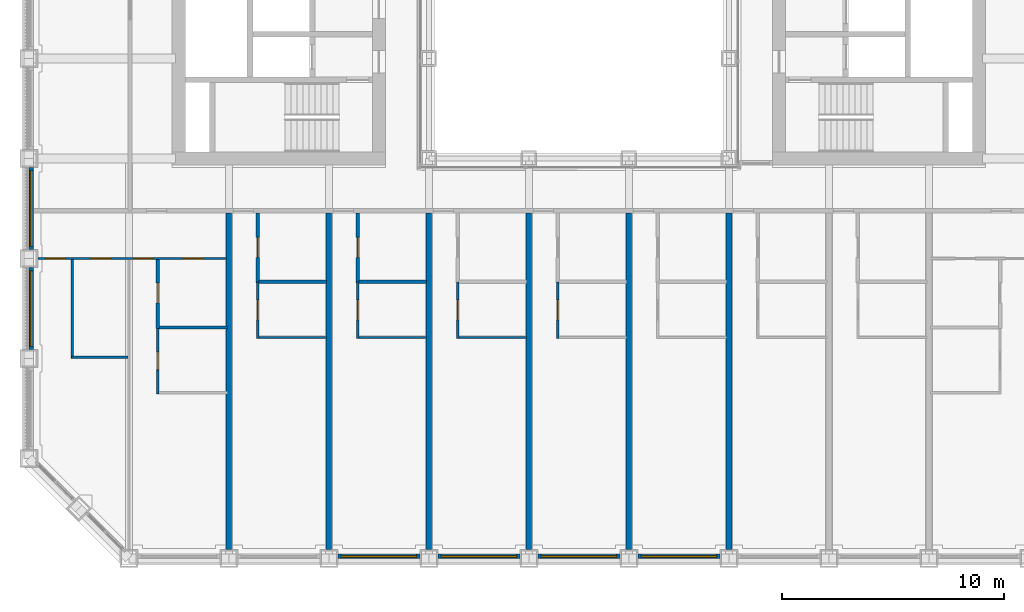
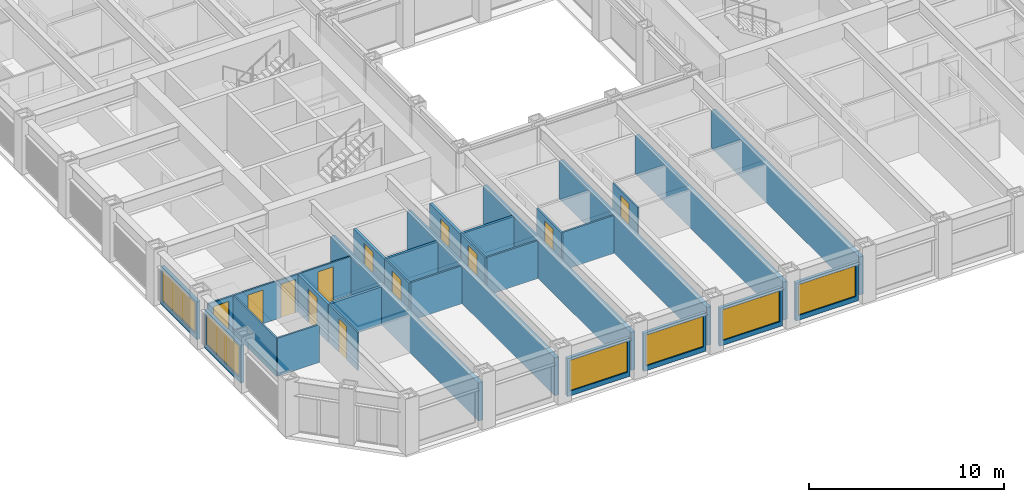
# One storey, part 9 of 21: 29 walls, 12 doors, 6 windows, 18 openings.
"""IFC4 building model written with IfcOpenShell, lengths in metres."""

from ifc_helpers import new_model, si_unit, direction, frame, frame_2d, origin, place, context, subcontext, project, spatial, rectangle, extrude, material, layer, layer_set, type_object, element, fill, save


model = new_model("IFC4")

# Units and contexts
model_context = context("Model", 3, precision=1e-05, world=origin(), true_north=direction((0.0, 1.0)))
body_context = subcontext(model_context, "Body", "Model", "MODEL_VIEW")
ifc_project = project(units=[si_unit("LENGTHUNIT", "METRE"), si_unit("AREAUNIT", "SQUARE_METRE"), si_unit("VOLUMEUNIT", "CUBIC_METRE"), si_unit("PLANEANGLEUNIT", "RADIAN"), si_unit("MASSUNIT", "GRAM", prefix="KILO")], contexts=[model_context])

# Site, building, storey
site_placement = place(None, origin())
site = spatial("IfcSite", under=ifc_project, at=site_placement, CompositionType="ELEMENT")
building_placement = place(site_placement, origin())
building = spatial("IfcBuilding", under=site, at=building_placement, Name="Msasa Ring Tower", CompositionType="ELEMENT")
storey_placement = place(building_placement, frame((0.0, 0.0, 33.5)))
storey = spatial("IfcBuildingStorey", under=building, at=storey_placement, Name="L07", CompositionType="ELEMENT", Elevation=33.5)

# Wall, opening, window
ifc_material_1 = material(Name="Terracotta rainscreen on blockwork", Category="masonry")
ifc_layer_1 = layer(ifc_material_1, 0.199951171875)
ifc_layer_set_1 = layer_set([ifc_layer_1], Name="FW1 TERRACOTTA-LINED INFILL BAY WALL 200")
wall_type_1 = type_object("IfcWallType", Name="FW1 TERRACOTTA-LINED INFILL BAY WALL 200", PredefinedType="SOLIDWALL", material=ifc_layer_set_1)
wall_1_placement = place(storey_placement, frame((-10.844970703125, -24.64990234375, 0.0), z_axis=(0.0, 0.0, 1.0), x_axis=(1.0, 0.0, 0.0)))
wall_1 = element("IfcWall", 1, at=wall_1_placement, inside=storey, type_object=wall_type_1, Name="Infill bay wall S L07 02", PredefinedType="SOLIDWALL", context=body_context, shape_type="SweptSolid", body=[
    extrude(rectangle(XDim=3.68994140625, YDim=0.199951171875, at=frame_2d((1.844970703125, 0.0))), origin(), (0.0, 0.0, 1.0), 2.37890625),
])
opening_1_placement = place(wall_1_placement, frame((0.14501953125, 0.0, 0.300048828125)))
opening_1 = element("IfcOpeningElement", 2, at=opening_1_placement, cuts=wall_1, Name="Opening WN1", PredefinedType="OPENING", context=body_context, shape_type="SweptSolid", body=[
    extrude(rectangle(XDim=3.39990234375, YDim=1.928955078125, at=frame_2d((1.699951171875, 0.96435546875))), frame((0.0, 0.10986328125, 0.0), z_axis=(0.0, -1.0, 0.0), x_axis=(1.0, 0.0, 0.0)), (0.0, 0.0, 1.0), 0.219970703125),
])
ifc_material_2 = material(Name="Aluminium frame with clear glass", Category="aluminium")
window_type = type_object("IfcWindowType", Name="WN1 RESIDENCE WINDOW 3400x1929", PartitioningType="SINGLE_PANEL", PredefinedType="WINDOW", material=ifc_material_2)
window_1_placement = place(opening_1_placement, origin())
window_1 = element("IfcWindow", 3, at=window_1_placement, inside=storey, type_object=window_type, Name="Window S L07 02", OverallHeight=1.928955078125, OverallWidth=3.39990234375, PartitioningType="SINGLE_PANEL", PredefinedType="WINDOW", context=body_context, shape_type="SweptSolid", body=[
    extrude(rectangle(XDim=3.39990234375, YDim=1.928955078125, at=frame_2d((1.699951171875, 0.96435546875))), frame((0.0, 0.030029296875, 0.0), z_axis=(0.0, -1.0, 0.0), x_axis=(1.0, 0.0, 0.0)), (0.0, 0.0, 1.0), 0.06005859375),
])
fill(opening_1, window_1)

wall_2_placement = place(storey_placement, frame((-6.344970703125, -24.64990234375, 0.0), z_axis=(0.0, 0.0, 1.0), x_axis=(1.0, 0.0, 0.0)))
wall_2 = element("IfcWall", 4, at=wall_2_placement, inside=storey, type_object=wall_type_1, Name="Infill bay wall S L07 03", PredefinedType="SOLIDWALL", context=body_context, shape_type="SweptSolid", body=[
    extrude(rectangle(XDim=3.68994140625, YDim=0.199951171875, at=frame_2d((1.844970703125, 0.0))), origin(), (0.0, 0.0, 1.0), 2.37890625),
])
opening_2_placement = place(wall_2_placement, frame((0.14501953125, 0.0, 0.300048828125)))
opening_2 = element("IfcOpeningElement", 5, at=opening_2_placement, cuts=wall_2, Name="Opening WN1", PredefinedType="OPENING", context=body_context, shape_type="SweptSolid", body=[
    extrude(rectangle(XDim=3.39990234375, YDim=1.928955078125, at=frame_2d((1.699951171875, 0.96435546875))), frame((0.0, 0.10986328125, 0.0), z_axis=(0.0, -1.0, 0.0), x_axis=(1.0, 0.0, 0.0)), (0.0, 0.0, 1.0), 0.219970703125),
])
window_2_placement = place(opening_2_placement, origin())
window_2 = element("IfcWindow", 6, at=window_2_placement, inside=storey, type_object=window_type, Name="Window S L07 03", OverallHeight=1.928955078125, OverallWidth=3.39990234375, PartitioningType="SINGLE_PANEL", PredefinedType="WINDOW", context=body_context, shape_type="SweptSolid", body=[
    extrude(rectangle(XDim=3.39990234375, YDim=1.928955078125, at=frame_2d((1.699951171875, 0.96435546875))), frame((0.0, 0.030029296875, 0.0), z_axis=(0.0, -1.0, 0.0), x_axis=(1.0, 0.0, 0.0)), (0.0, 0.0, 1.0), 0.06005859375),
])
fill(opening_2, window_2)

wall_3_placement = place(storey_placement, frame((-1.844970703125, -24.64990234375, 0.0), z_axis=(0.0, 0.0, 1.0), x_axis=(1.0, 0.0, 0.0)))
wall_3 = element("IfcWall", 7, at=wall_3_placement, inside=storey, type_object=wall_type_1, Name="Infill bay wall S L07 04", PredefinedType="SOLIDWALL", context=body_context, shape_type="SweptSolid", body=[
    extrude(rectangle(XDim=3.68994140625, YDim=0.199951171875, at=frame_2d((1.844970703125, 0.0))), origin(), (0.0, 0.0, 1.0), 2.37890625),
])
opening_3_placement = place(wall_3_placement, frame((0.14501953125, 0.0, 0.300048828125)))
opening_3 = element("IfcOpeningElement", 8, at=opening_3_placement, cuts=wall_3, Name="Opening WN1", PredefinedType="OPENING", context=body_context, shape_type="SweptSolid", body=[
    extrude(rectangle(XDim=3.39990234375, YDim=1.928955078125, at=frame_2d((1.699951171875, 0.96435546875))), frame((0.0, 0.10986328125, 0.0), z_axis=(0.0, -1.0, 0.0), x_axis=(1.0, 0.0, 0.0)), (0.0, 0.0, 1.0), 0.219970703125),
])
window_3_placement = place(opening_3_placement, origin())
window_3 = element("IfcWindow", 9, at=window_3_placement, inside=storey, type_object=window_type, Name="Window S L07 04", OverallHeight=1.928955078125, OverallWidth=3.39990234375, PartitioningType="SINGLE_PANEL", PredefinedType="WINDOW", context=body_context, shape_type="SweptSolid", body=[
    extrude(rectangle(XDim=3.39990234375, YDim=1.928955078125, at=frame_2d((1.699951171875, 0.96435546875))), frame((0.0, 0.030029296875, 0.0), z_axis=(0.0, -1.0, 0.0), x_axis=(1.0, 0.0, 0.0)), (0.0, 0.0, 1.0), 0.06005859375),
])
fill(opening_3, window_3)

wall_4_placement = place(storey_placement, frame((2.655029296875, -24.64990234375, 0.0), z_axis=(0.0, 0.0, 1.0), x_axis=(1.0, 0.0, 0.0)))
wall_4 = element("IfcWall", 10, at=wall_4_placement, inside=storey, type_object=wall_type_1, Name="Infill bay wall S L07 05", PredefinedType="SOLIDWALL", context=body_context, shape_type="SweptSolid", body=[
    extrude(rectangle(XDim=3.68994140625, YDim=0.199951171875, at=frame_2d((1.844970703125, 0.0))), origin(), (0.0, 0.0, 1.0), 2.37890625),
])
opening_4_placement = place(wall_4_placement, frame((0.14501953125, 0.0, 0.300048828125)))
opening_4 = element("IfcOpeningElement", 11, at=opening_4_placement, cuts=wall_4, Name="Opening WN1", PredefinedType="OPENING", context=body_context, shape_type="SweptSolid", body=[
    extrude(rectangle(XDim=3.39990234375, YDim=1.928955078125, at=frame_2d((1.699951171875, 0.96435546875))), frame((0.0, 0.10986328125, 0.0), z_axis=(0.0, -1.0, 0.0), x_axis=(1.0, 0.0, 0.0)), (0.0, 0.0, 1.0), 0.219970703125),
])
window_4_placement = place(opening_4_placement, origin())
window_4 = element("IfcWindow", 12, at=window_4_placement, inside=storey, type_object=window_type, Name="Window S L07 05", OverallHeight=1.928955078125, OverallWidth=3.39990234375, PartitioningType="SINGLE_PANEL", PredefinedType="WINDOW", context=body_context, shape_type="SweptSolid", body=[
    extrude(rectangle(XDim=3.39990234375, YDim=1.928955078125, at=frame_2d((1.699951171875, 0.96435546875))), frame((0.0, 0.030029296875, 0.0), z_axis=(0.0, -1.0, 0.0), x_axis=(1.0, 0.0, 0.0)), (0.0, 0.0, 1.0), 0.06005859375),
])
fill(opening_4, window_4)

wall_5_placement = place(storey_placement, frame((-24.64990234375, -15.344970703125, 0.0), z_axis=(0.0, 0.0, 1.0), x_axis=(0.0, 1.0, 0.0)))
wall_5 = element("IfcWall", 13, at=wall_5_placement, inside=storey, type_object=wall_type_1, Name="Infill bay wall W L07 34", PredefinedType="SOLIDWALL", context=body_context, shape_type="SweptSolid", body=[
    extrude(rectangle(XDim=3.68994140625, YDim=0.199951171875, at=frame_2d((1.844970703125, 0.0))), origin(), (0.0, 0.0, 1.0), 2.37890625),
])
opening_5_placement = place(wall_5_placement, frame((0.14501953125, 0.0, 0.300048828125)))
opening_5 = element("IfcOpeningElement", 14, at=opening_5_placement, cuts=wall_5, Name="Opening WN1", PredefinedType="OPENING", context=body_context, shape_type="SweptSolid", body=[
    extrude(rectangle(XDim=3.39990234375, YDim=1.928955078125, at=frame_2d((1.699951171875, 0.96435546875))), frame((0.0, 0.10986328125, 0.0), z_axis=(0.0, -1.0, 0.0), x_axis=(1.0, 0.0, 0.0)), (0.0, 0.0, 1.0), 0.219970703125),
])
window_5_placement = place(opening_5_placement, origin())
window_5 = element("IfcWindow", 15, at=window_5_placement, inside=storey, type_object=window_type, Name="Window W L07 34", OverallHeight=1.928955078125, OverallWidth=3.39990234375, PartitioningType="SINGLE_PANEL", PredefinedType="WINDOW", context=body_context, shape_type="SweptSolid", body=[
    extrude(rectangle(XDim=3.39990234375, YDim=1.928955078125, at=frame_2d((1.699951171875, 0.96435546875))), frame((0.0, 0.030029296875, 0.0), z_axis=(0.0, -1.0, 0.0), x_axis=(1.0, 0.0, 0.0)), (0.0, 0.0, 1.0), 0.06005859375),
])
fill(opening_5, window_5)

wall_6_placement = place(storey_placement, frame((-24.64990234375, -10.844970703125, 0.0), z_axis=(0.0, 0.0, 1.0), x_axis=(0.0, 1.0, 0.0)))
wall_6 = element("IfcWall", 16, at=wall_6_placement, inside=storey, type_object=wall_type_1, Name="Infill bay wall W L07 35", PredefinedType="SOLIDWALL", context=body_context, shape_type="SweptSolid", body=[
    extrude(rectangle(XDim=3.68994140625, YDim=0.199951171875, at=frame_2d((1.844970703125, 0.0))), origin(), (0.0, 0.0, 1.0), 2.37890625),
])
opening_6_placement = place(wall_6_placement, frame((0.14501953125, 0.0, 0.300048828125)))
opening_6 = element("IfcOpeningElement", 17, at=opening_6_placement, cuts=wall_6, Name="Opening WN1", PredefinedType="OPENING", context=body_context, shape_type="SweptSolid", body=[
    extrude(rectangle(XDim=3.39990234375, YDim=1.928955078125, at=frame_2d((1.699951171875, 0.96435546875))), frame((0.0, 0.10986328125, 0.0), z_axis=(0.0, -1.0, 0.0), x_axis=(1.0, 0.0, 0.0)), (0.0, 0.0, 1.0), 0.219970703125),
])
window_6_placement = place(opening_6_placement, origin())
window_6 = element("IfcWindow", 18, at=window_6_placement, inside=storey, type_object=window_type, Name="Window W L07 35", OverallHeight=1.928955078125, OverallWidth=3.39990234375, PartitioningType="SINGLE_PANEL", PredefinedType="WINDOW", context=body_context, shape_type="SweptSolid", body=[
    extrude(rectangle(XDim=3.39990234375, YDim=1.928955078125, at=frame_2d((1.699951171875, 0.96435546875))), frame((0.0, 0.030029296875, 0.0), z_axis=(0.0, -1.0, 0.0), x_axis=(1.0, 0.0, 0.0)), (0.0, 0.0, 1.0), 0.06005859375),
])
fill(opening_6, window_6)

# Wall, openings, doors
ifc_material_3 = material(Name="Gypsum board on steel studs", Category="steel")
ifc_layer_2 = layer(ifc_material_3, 0.10009765625)
ifc_layer_set_2 = layer_set([ifc_layer_2], Name="PT2 STUD PARTITION 100")
wall_type_2 = type_object("IfcWallType", Name="PT2 STUD PARTITION 100", PredefinedType="PARTITIONING", material=ifc_layer_set_2)
wall_7_placement = place(storey_placement, frame((-24.35009765625, -11.25, 0.0), z_axis=(0.0, 0.0, 1.0), x_axis=(1.0, 0.0, 0.0)))
wall_7 = element("IfcWall", 19, at=wall_7_placement, inside=storey, type_object=wall_type_2, Name="Partition L07-US00HY", PredefinedType="PARTITIONING", context=body_context, shape_type="SweptSolid", body=[
    extrude(rectangle(XDim=8.5, YDim=0.10009765625, at=frame_2d((4.25, 0.0))), origin(), (0.0, 0.0, 1.0), 2.373291015625),
])
opening_7_placement = place(wall_7_placement, frame((2.375, 0.0, 0.0)))
opening_7 = element("IfcOpeningElement", 20, at=opening_7_placement, cuts=wall_7, Name="Opening RA-068", PredefinedType="OPENING", context=body_context, shape_type="SweptSolid", body=[
    extrude(rectangle(XDim=0.89990234375, YDim=2.10009765625, at=frame_2d((0.449951171875, 1.050048828125))), frame((0.0, 0.06005859375, 0.0), z_axis=(0.0, -1.0, 0.0), x_axis=(1.0, 0.0, 0.0)), (0.0, 0.0, 1.0), 0.1201171875),
])
opening_8_placement = place(wall_7_placement, frame((0.35009765625, 0.0, 0.0)))
opening_8 = element("IfcOpeningElement", 21, at=opening_8_placement, cuts=wall_7, Name="Opening RA-067", PredefinedType="OPENING", context=body_context, shape_type="SweptSolid", body=[
    extrude(rectangle(XDim=0.89990234375, YDim=2.10009765625, at=frame_2d((0.449951171875, 1.050048828125))), frame((0.0, 0.06005859375, 0.0), z_axis=(0.0, -1.0, 0.0), x_axis=(1.0, 0.0, 0.0)), (0.0, 0.0, 1.0), 0.1201171875),
])
opening_9_placement = place(wall_7_placement, frame((4.324951171875, 0.0, 0.0)))
opening_9 = element("IfcOpeningElement", 22, at=opening_9_placement, cuts=wall_7, Name="Opening RA-069", PredefinedType="OPENING", context=body_context, shape_type="SweptSolid", body=[
    extrude(rectangle(XDim=0.85009765625, YDim=2.10009765625, at=frame_2d((0.425048828125, 1.050048828125))), frame((0.0, 0.06005859375, 0.0), z_axis=(0.0, -1.0, 0.0), x_axis=(1.0, 0.0, 0.0)), (0.0, 0.0, 1.0), 0.1201171875),
])
opening_10_placement = place(wall_7_placement, frame((6.52001953125, 0.0, 0.0)))
opening_10 = element("IfcOpeningElement", 23, at=opening_10_placement, cuts=wall_7, Name="Opening RA-070", PredefinedType="OPENING", context=body_context, shape_type="SweptSolid", body=[
    extrude(rectangle(XDim=0.89990234375, YDim=2.10009765625, at=frame_2d((0.449951171875, 1.050048828125))), frame((0.0, 0.06005859375, 0.0), z_axis=(0.0, -1.0, 0.0), x_axis=(1.0, 0.0, 0.0)), (0.0, 0.0, 1.0), 0.1201171875),
])
ifc_material_4 = material(Name="Timber door leaf in a steel frame", Category="steel")
door_type_1 = type_object("IfcDoorType", Name="D14 BEDROOM DOOR 850x2100", OperationType="SINGLE_SWING_LEFT", PredefinedType="DOOR", material=ifc_material_4)
door_1_placement = place(opening_9_placement, origin())
door_1 = element("IfcDoor", 24, at=door_1_placement, inside=storey, type_object=door_type_1, Name="Door L07-US00R1", OperationType="SINGLE_SWING_RIGHT", OverallHeight=2.10009765625, OverallWidth=0.85009765625, PredefinedType="DOOR", context=body_context, shape_type="SweptSolid", body=[
    extrude(rectangle(XDim=0.85009765625, YDim=2.10009765625, at=frame_2d((0.425048828125, 1.050048828125))), frame((0.0, 0.02490234375, 0.0), z_axis=(0.0, -1.0, 0.0), x_axis=(1.0, 0.0, 0.0)), (0.0, 0.0, 1.0), 0.050048828125),
])
fill(opening_9, door_1)
ifc_material_5 = material(Name="Timber door leaf in a steel frame", Category="steel")
door_type_2 = type_object("IfcDoorType", Name="D22 INTERNAL HALL DOOR 900x2100", OperationType="SINGLE_SWING_LEFT", PredefinedType="DOOR", material=ifc_material_5)
door_2_placement = place(opening_7_placement, origin())
door_2 = element("IfcDoor", 25, at=door_2_placement, inside=storey, type_object=door_type_2, Name="Door L07-US00K", OperationType="SINGLE_SWING_LEFT", OverallHeight=2.10009765625, OverallWidth=0.89990234375, PredefinedType="DOOR", context=body_context, shape_type="SweptSolid", body=[
    extrude(rectangle(XDim=0.89990234375, YDim=2.10009765625, at=frame_2d((0.449951171875, 1.050048828125))), frame((0.0, 0.02490234375, 0.0), z_axis=(0.0, -1.0, 0.0), x_axis=(1.0, 0.0, 0.0)), (0.0, 0.0, 1.0), 0.050048828125),
])
fill(opening_7, door_2)
door_3_placement = place(opening_8_placement, origin())
door_3 = element("IfcDoor", 26, at=door_3_placement, inside=storey, type_object=door_type_2, Name="Door L07-US00L", OperationType="SINGLE_SWING_LEFT", OverallHeight=2.10009765625, OverallWidth=0.89990234375, PredefinedType="DOOR", context=body_context, shape_type="SweptSolid", body=[
    extrude(rectangle(XDim=0.89990234375, YDim=2.10009765625, at=frame_2d((0.449951171875, 1.050048828125))), frame((0.0, 0.02490234375, 0.0), z_axis=(0.0, -1.0, 0.0), x_axis=(1.0, 0.0, 0.0)), (0.0, 0.0, 1.0), 0.050048828125),
])
fill(opening_8, door_3)
ifc_material_6 = material(Name="Timber door leaf in a steel frame", Category="steel")
door_type_3 = type_object("IfcDoorType", Name="D3 BATHROOM DOOR 900x2100", OperationType="SINGLE_SWING_LEFT", PredefinedType="DOOR", material=ifc_material_6)
door_4_placement = place(opening_10_placement, origin())
door_4 = element("IfcDoor", 27, at=door_4_placement, inside=storey, type_object=door_type_3, Name="Door L07-US00BH1", OperationType="SINGLE_SWING_RIGHT", OverallHeight=2.10009765625, OverallWidth=0.89990234375, PredefinedType="DOOR", context=body_context, shape_type="SweptSolid", body=[
    extrude(rectangle(XDim=0.89990234375, YDim=2.10009765625, at=frame_2d((0.449951171875, 1.050048828125))), frame((0.0, 0.02490234375, 0.0), z_axis=(0.0, -1.0, 0.0), x_axis=(1.0, 0.0, 0.0)), (0.0, 0.0, 1.0), 0.050048828125),
])
fill(opening_10, door_4)

# Walls
wall_8_placement = place(storey_placement, frame((-22.800048828125, -15.7421875, 0.0), z_axis=(0.0, 0.0, 1.0), x_axis=(0.0, 1.0, 0.0)))
element("IfcWall", 28, at=wall_8_placement, inside=storey, type_object=wall_type_2, Name="Partition L07-US00KX", PredefinedType="PARTITIONING", context=body_context, shape_type="SweptSolid", body=[
    extrude(rectangle(XDim=4.442138671875, YDim=0.10009765625, at=frame_2d((2.22119140625, 0.0))), origin(), (0.0, 0.0, 1.0), 2.373291015625),
])
wall_9_placement = place(storey_placement, frame((-22.800048828125, -15.692138671875, 0.0), z_axis=(0.0, 0.0, 1.0), x_axis=(1.0, 0.0, 0.0)))
element("IfcWall", 29, at=wall_9_placement, inside=storey, type_object=wall_type_2, Name="Partition L07-US00KY", PredefinedType="PARTITIONING", context=body_context, shape_type="SweptSolid", body=[
    extrude(rectangle(XDim=2.5, YDim=0.10009765625, at=frame_2d((1.25, 0.0))), origin(), (0.0, 0.0, 1.0), 2.373291015625),
])

# Wall, opening, door
wall_10_placement = place(storey_placement, frame((-18.949951171875, -17.3408203125, 0.0), z_axis=(0.0, 0.0, 1.0), x_axis=(0.0, 1.0, 0.0)))
wall_10 = element("IfcWall", 30, at=wall_10_placement, inside=storey, type_object=wall_type_2, Name="Partition L07-US00WX1", PredefinedType="PARTITIONING", context=body_context, shape_type="SweptSolid", body=[
    extrude(rectangle(XDim=2.94091796875, YDim=0.10009765625, at=frame_2d((1.470458984375, 0.0))), origin(), (0.0, 0.0, 1.0), 2.373291015625),
])
opening_11_placement = place(wall_10_placement, frame((1.095458984375, 0.0, 0.0)))
opening_11 = element("IfcOpeningElement", 31, at=opening_11_placement, cuts=wall_10, Name="Opening RA-084", PredefinedType="OPENING", context=body_context, shape_type="SweptSolid", body=[
    extrude(rectangle(XDim=0.800048828125, YDim=2.10009765625, at=frame_2d((0.39990234375, 1.050048828125))), frame((0.0, 0.06005859375, 0.0), z_axis=(0.0, -1.0, 0.0), x_axis=(1.0, 0.0, 0.0)), (0.0, 0.0, 1.0), 0.1201171875),
])
ifc_material_7 = material(Name="Timber door leaf in a steel frame", Category="steel")
door_type_4 = type_object("IfcDoorType", Name="D60 DRESSING ROOM DOOR 800x2100", OperationType="SINGLE_SWING_LEFT", PredefinedType="DOOR", material=ifc_material_7)
door_5_placement = place(opening_11_placement, origin())
door_5 = element("IfcDoor", 32, at=door_5_placement, inside=storey, type_object=door_type_4, Name="Door L07-US00W1", OperationType="SINGLE_SWING_LEFT", OverallHeight=2.10009765625, OverallWidth=0.800048828125, PredefinedType="DOOR", context=body_context, shape_type="SweptSolid", body=[
    extrude(rectangle(XDim=0.800048828125, YDim=2.10009765625, at=frame_2d((0.39990234375, 1.050048828125))), frame((0.0, 0.02490234375, 0.0), z_axis=(0.0, -1.0, 0.0), x_axis=(1.0, 0.0, 0.0)), (0.0, 0.0, 1.0), 0.050048828125),
])
fill(opening_11, door_5)

# Wall
wall_11_placement = place(storey_placement, frame((-14.39990234375, -14.800048828125, 0.0), z_axis=(0.0, 0.0, 1.0), x_axis=(1.0, 0.0, 0.0)))
element("IfcWall", 33, at=wall_11_placement, inside=storey, type_object=wall_type_2, Name="Partition L07-US01KY", PredefinedType="PARTITIONING", context=body_context, shape_type="SweptSolid", body=[
    extrude(rectangle(XDim=3.0498046875, YDim=0.10009765625, at=frame_2d((1.52490234375, 0.0))), origin(), (0.0, 0.0, 1.0), 2.373291015625),
])

# Wall, opening, door
wall_12_placement = place(storey_placement, frame((-14.449951171875, -14.85009765625, 0.0), z_axis=(0.0, 0.0, 1.0), x_axis=(0.0, 1.0, 0.0)))
wall_12 = element("IfcWall", 34, at=wall_12_placement, inside=storey, type_object=wall_type_2, Name="Partition L07-US01KX", PredefinedType="PARTITIONING", context=body_context, shape_type="SweptSolid", body=[
    extrude(rectangle(XDim=2.550048828125, YDim=0.10009765625, at=frame_2d((1.27490234375, 0.0))), origin(), (0.0, 0.0, 1.0), 2.373291015625),
])
opening_12_placement = place(wall_12_placement, frame((0.840087890625, 0.0, 0.0)))
opening_12 = element("IfcOpeningElement", 35, at=opening_12_placement, cuts=wall_12, Name="Opening RA-077", PredefinedType="OPENING", context=body_context, shape_type="SweptSolid", body=[
    extrude(rectangle(XDim=0.89990234375, YDim=2.10009765625, at=frame_2d((0.449951171875, 1.050048828125))), frame((0.0, 0.06005859375, 0.0), z_axis=(0.0, -1.0, 0.0), x_axis=(1.0, 0.0, 0.0)), (0.0, 0.0, 1.0), 0.1201171875),
])
door_6_placement = place(opening_12_placement, origin())
door_6 = element("IfcDoor", 36, at=door_6_placement, inside=storey, type_object=door_type_2, Name="Door L07-US01K", OperationType="SINGLE_SWING_LEFT", OverallHeight=2.10009765625, OverallWidth=0.89990234375, PredefinedType="DOOR", context=body_context, shape_type="SweptSolid", body=[
    extrude(rectangle(XDim=0.89990234375, YDim=2.10009765625, at=frame_2d((0.449951171875, 1.050048828125))), frame((0.0, 0.02490234375, 0.0), z_axis=(0.0, -1.0, 0.0), x_axis=(1.0, 0.0, 0.0)), (0.0, 0.0, 1.0), 0.050048828125),
])
fill(opening_12, door_6)

# Wall
wall_13_placement = place(storey_placement, frame((-9.89990234375, -14.800048828125, 0.0), z_axis=(0.0, 0.0, 1.0), x_axis=(1.0, 0.0, 0.0)))
element("IfcWall", 37, at=wall_13_placement, inside=storey, type_object=wall_type_2, Name="Partition L07-US02KY", PredefinedType="PARTITIONING", context=body_context, shape_type="SweptSolid", body=[
    extrude(rectangle(XDim=3.0498046875, YDim=0.10009765625, at=frame_2d((1.52490234375, 0.0))), origin(), (0.0, 0.0, 1.0), 2.373291015625),
])

# Wall, opening, door
wall_14_placement = place(storey_placement, frame((-9.949951171875, -14.85009765625, 0.0), z_axis=(0.0, 0.0, 1.0), x_axis=(0.0, 1.0, 0.0)))
wall_14 = element("IfcWall", 38, at=wall_14_placement, inside=storey, type_object=wall_type_2, Name="Partition L07-US02KX", PredefinedType="PARTITIONING", context=body_context, shape_type="SweptSolid", body=[
    extrude(rectangle(XDim=2.550048828125, YDim=0.10009765625, at=frame_2d((1.27490234375, 0.0))), origin(), (0.0, 0.0, 1.0), 2.373291015625),
])
opening_13_placement = place(wall_14_placement, frame((0.840087890625, 0.0, 0.0)))
opening_13 = element("IfcOpeningElement", 39, at=opening_13_placement, cuts=wall_14, Name="Opening RA-078", PredefinedType="OPENING", context=body_context, shape_type="SweptSolid", body=[
    extrude(rectangle(XDim=0.89990234375, YDim=2.10009765625, at=frame_2d((0.449951171875, 1.050048828125))), frame((0.0, 0.06005859375, 0.0), z_axis=(0.0, -1.0, 0.0), x_axis=(1.0, 0.0, 0.0)), (0.0, 0.0, 1.0), 0.1201171875),
])
door_7_placement = place(opening_13_placement, origin())
door_7 = element("IfcDoor", 40, at=door_7_placement, inside=storey, type_object=door_type_2, Name="Door L07-US02K", OperationType="SINGLE_SWING_LEFT", OverallHeight=2.10009765625, OverallWidth=0.89990234375, PredefinedType="DOOR", context=body_context, shape_type="SweptSolid", body=[
    extrude(rectangle(XDim=0.89990234375, YDim=2.10009765625, at=frame_2d((0.449951171875, 1.050048828125))), frame((0.0, 0.02490234375, 0.0), z_axis=(0.0, -1.0, 0.0), x_axis=(1.0, 0.0, 0.0)), (0.0, 0.0, 1.0), 0.050048828125),
])
fill(opening_13, door_7)

# Wall
wall_15_placement = place(storey_placement, frame((-5.39990234375, -14.800048828125, 0.0), z_axis=(0.0, 0.0, 1.0), x_axis=(1.0, 0.0, 0.0)))
element("IfcWall", 41, at=wall_15_placement, inside=storey, type_object=wall_type_2, Name="Partition L07-US03KY", PredefinedType="PARTITIONING", context=body_context, shape_type="SweptSolid", body=[
    extrude(rectangle(XDim=3.0498046875, YDim=0.10009765625, at=frame_2d((1.52490234375, 0.0))), origin(), (0.0, 0.0, 1.0), 2.373291015625),
])

# Wall, opening, door
wall_16_placement = place(storey_placement, frame((-5.449951171875, -14.85009765625, 0.0), z_axis=(0.0, 0.0, 1.0), x_axis=(0.0, 1.0, 0.0)))
wall_16 = element("IfcWall", 42, at=wall_16_placement, inside=storey, type_object=wall_type_2, Name="Partition L07-US03KX", PredefinedType="PARTITIONING", context=body_context, shape_type="SweptSolid", body=[
    extrude(rectangle(XDim=2.550048828125, YDim=0.10009765625, at=frame_2d((1.27490234375, 0.0))), origin(), (0.0, 0.0, 1.0), 2.373291015625),
])
opening_14_placement = place(wall_16_placement, frame((0.840087890625, 0.0, 0.0)))
opening_14 = element("IfcOpeningElement", 43, at=opening_14_placement, cuts=wall_16, Name="Opening RA-079", PredefinedType="OPENING", context=body_context, shape_type="SweptSolid", body=[
    extrude(rectangle(XDim=0.89990234375, YDim=2.10009765625, at=frame_2d((0.449951171875, 1.050048828125))), frame((0.0, 0.06005859375, 0.0), z_axis=(0.0, -1.0, 0.0), x_axis=(1.0, 0.0, 0.0)), (0.0, 0.0, 1.0), 0.1201171875),
])
door_8_placement = place(opening_14_placement, origin())
door_8 = element("IfcDoor", 44, at=door_8_placement, inside=storey, type_object=door_type_2, Name="Door L07-US03K", OperationType="SINGLE_SWING_LEFT", OverallHeight=2.10009765625, OverallWidth=0.89990234375, PredefinedType="DOOR", context=body_context, shape_type="SweptSolid", body=[
    extrude(rectangle(XDim=0.89990234375, YDim=2.10009765625, at=frame_2d((0.449951171875, 1.050048828125))), frame((0.0, 0.02490234375, 0.0), z_axis=(0.0, -1.0, 0.0), x_axis=(1.0, 0.0, 0.0)), (0.0, 0.0, 1.0), 0.050048828125),
])
fill(opening_14, door_8)

wall_17_placement = place(storey_placement, frame((-0.949951171875, -14.85009765625, 0.0), z_axis=(0.0, 0.0, 1.0), x_axis=(0.0, 1.0, 0.0)))
wall_17 = element("IfcWall", 45, at=wall_17_placement, inside=storey, type_object=wall_type_2, Name="Partition L07-US04KX", PredefinedType="PARTITIONING", context=body_context, shape_type="SweptSolid", body=[
    extrude(rectangle(XDim=2.550048828125, YDim=0.10009765625, at=frame_2d((1.27490234375, 0.0))), origin(), (0.0, 0.0, 1.0), 2.373291015625),
])
opening_15_placement = place(wall_17_placement, frame((0.840087890625, 0.0, 0.0)))
opening_15 = element("IfcOpeningElement", 46, at=opening_15_placement, cuts=wall_17, Name="Opening RA-080", PredefinedType="OPENING", context=body_context, shape_type="SweptSolid", body=[
    extrude(rectangle(XDim=0.89990234375, YDim=2.10009765625, at=frame_2d((0.449951171875, 1.050048828125))), frame((0.0, 0.06005859375, 0.0), z_axis=(0.0, -1.0, 0.0), x_axis=(1.0, 0.0, 0.0)), (0.0, 0.0, 1.0), 0.1201171875),
])
door_9_placement = place(opening_15_placement, origin())
door_9 = element("IfcDoor", 47, at=door_9_placement, inside=storey, type_object=door_type_2, Name="Door L07-US04K", OperationType="SINGLE_SWING_LEFT", OverallHeight=2.10009765625, OverallWidth=0.89990234375, PredefinedType="DOOR", context=body_context, shape_type="SweptSolid", body=[
    extrude(rectangle(XDim=0.89990234375, YDim=2.10009765625, at=frame_2d((0.449951171875, 1.050048828125))), frame((0.0, 0.02490234375, 0.0), z_axis=(0.0, -1.0, 0.0), x_axis=(1.0, 0.0, 0.0)), (0.0, 0.0, 1.0), 0.050048828125),
])
fill(opening_15, door_9)

# Walls
ifc_material_8 = material(Name="Dense concrete blockwork, plastered both faces", Category="masonry")
ifc_layer_3 = layer(ifc_material_8, 0.25)
ifc_layer_set_3 = layer_set([ifc_layer_3], Name="PT3 APARTMENT SEPARATING WALL 250")
wall_type_3 = type_object("IfcWallType", Name="PT3 APARTMENT SEPARATING WALL 250", PredefinedType="PARTITIONING", material=ifc_layer_set_3)
for number, where, z_axis, x_axis, name in (
    (48, (-15.75, -24.35009765625, 0.0), (0.0, 0.0, 1.0), (0.0, 1.0, 0.0), "Party wall L07-PWS-15.75"),
    (49, (-11.25, -24.35009765625, 0.0), (0.0, 0.0, 1.0), (0.0, 1.0, 0.0), "Party wall L07-PWS-11.25"),
    (50, (-6.75, -24.35009765625, 0.0), (0.0, 0.0, 1.0), (0.0, 1.0, 0.0), "Party wall L07-PWS-6.75"),
    (51, (-2.25, -24.35009765625, 0.0), (0.0, 0.0, 1.0), (0.0, 1.0, 0.0), "Party wall L07-PWS-2.25"),
    (52, (2.25, -24.35009765625, 0.0), (0.0, 0.0, 1.0), (0.0, 1.0, 0.0), "Party wall L07-PWS+2.25"),
    (53, (6.75, -24.35009765625, 0.0), (0.0, 0.0, 1.0), (0.0, 1.0, 0.0), "Party wall L07-PWS+6.75"),
):
    element("IfcWall", number, at=place(storey_placement, frame(where, z_axis=z_axis, x_axis=x_axis)), inside=storey, type_object=wall_type_3, Name=name, PredefinedType="PARTITIONING", context=body_context, shape_type="SweptSolid", body=[
        extrude(rectangle(XDim=15.150146484375, YDim=0.25, at=frame_2d((7.5751953125, 0.0))), origin(), (0.0, 0.0, 1.0), 2.373291015625),
    ])

# Wall, opening, door
ifc_material_9 = material(Name="Moisture-resistant board on steel studs with a concealed cistern and pipe void, tiled", Category="steel")
ifc_layer_4 = layer(ifc_material_9, 0.14990234375)
ifc_layer_set_4 = layer_set([ifc_layer_4], Name="PT4 BATHROOM WET WALL 150")
wall_type_4 = type_object("IfcWallType", Name="PT4 BATHROOM WET WALL 150", PredefinedType="PARTITIONING", material=ifc_layer_set_4)
wall_18_placement = place(storey_placement, frame((-18.949951171875, -14.39990234375, 0.0), z_axis=(0.0, 0.0, 1.0), x_axis=(0.0, 1.0, 0.0)))
wall_18 = element("IfcWall", 54, at=wall_18_placement, inside=storey, type_object=wall_type_4, Name="Partition L07-US00BX1", PredefinedType="PARTITIONING", context=body_context, shape_type="SweptSolid", body=[
    extrude(rectangle(XDim=3.099853515625, YDim=0.14990234375, at=frame_2d((1.5498046875, 0.0))), origin(), (0.0, 0.0, 1.0), 2.373291015625),
])
opening_16_placement = place(wall_18_placement, frame((1.14990234375, 0.0, 0.0)))
opening_16 = element("IfcOpeningElement", 55, at=opening_16_placement, cuts=wall_18, Name="Opening RA-075", PredefinedType="OPENING", context=body_context, shape_type="SweptSolid", body=[
    extrude(rectangle(XDim=0.89990234375, YDim=2.10009765625, at=frame_2d((0.449951171875, 1.050048828125))), frame((0.0, 0.0849609375, 0.0), z_axis=(0.0, -1.0, 0.0), x_axis=(1.0, 0.0, 0.0)), (0.0, 0.0, 1.0), 0.169921875),
])
door_10_placement = place(opening_16_placement, origin())
door_10 = element("IfcDoor", 56, at=door_10_placement, inside=storey, type_object=door_type_3, Name="Door L07-US00B1", OperationType="SINGLE_SWING_RIGHT", OverallHeight=2.10009765625, OverallWidth=0.89990234375, PredefinedType="DOOR", context=body_context, shape_type="SweptSolid", body=[
    extrude(rectangle(XDim=0.89990234375, YDim=2.10009765625, at=frame_2d((0.449951171875, 1.050048828125))), frame((0.0, 0.02490234375, 0.0), z_axis=(0.0, -1.0, 0.0), x_axis=(1.0, 0.0, 0.0)), (0.0, 0.0, 1.0), 0.050048828125),
])
fill(opening_16, door_10)

# Wall
wall_19_placement = place(storey_placement, frame((-18.949951171875, -14.35009765625, 0.0), z_axis=(0.0, 0.0, 1.0), x_axis=(1.0, 0.0, 0.0)))
element("IfcWall", 57, at=wall_19_placement, inside=storey, type_object=wall_type_4, Name="Partition L07-US00BY1", PredefinedType="PARTITIONING", context=body_context, shape_type="SweptSolid", body=[
    extrude(rectangle(XDim=3.139892578125, YDim=0.14990234375, at=frame_2d((1.56982421875, 0.0))), origin(), (0.0, 0.0, 1.0), 2.373291015625),
])

# Wall, opening, door
wall_20_placement = place(storey_placement, frame((-14.449951171875, -12.35009765625, 0.0), z_axis=(0.0, 0.0, 1.0), x_axis=(0.0, 1.0, 0.0)))
wall_20 = element("IfcWall", 58, at=wall_20_placement, inside=storey, type_object=wall_type_4, Name="Partition L07-US01BX", PredefinedType="PARTITIONING", context=body_context, shape_type="SweptSolid", body=[
    extrude(rectangle(XDim=3.150146484375, YDim=0.14990234375, at=frame_2d((1.5751953125, 0.0))), origin(), (0.0, 0.0, 1.0), 2.373291015625),
])
opening_17_placement = place(wall_20_placement, frame((1.14990234375, 0.0, 0.0)))
opening_17 = element("IfcOpeningElement", 59, at=opening_17_placement, cuts=wall_20, Name="Opening RA-060", PredefinedType="OPENING", context=body_context, shape_type="SweptSolid", body=[
    extrude(rectangle(XDim=0.89990234375, YDim=2.10009765625, at=frame_2d((0.449951171875, 1.050048828125))), frame((0.0, 0.0849609375, 0.0), z_axis=(0.0, -1.0, 0.0), x_axis=(1.0, 0.0, 0.0)), (0.0, 0.0, 1.0), 0.169921875),
])
door_11_placement = place(opening_17_placement, origin())
door_11 = element("IfcDoor", 60, at=door_11_placement, inside=storey, type_object=door_type_3, Name="Door L07-US01B", OperationType="SINGLE_SWING_LEFT", OverallHeight=2.10009765625, OverallWidth=0.89990234375, PredefinedType="DOOR", context=body_context, shape_type="SweptSolid", body=[
    extrude(rectangle(XDim=0.89990234375, YDim=2.10009765625, at=frame_2d((0.449951171875, 1.050048828125))), frame((0.0, 0.02490234375, 0.0), z_axis=(0.0, -1.0, 0.0), x_axis=(1.0, 0.0, 0.0)), (0.0, 0.0, 1.0), 0.050048828125),
])
fill(opening_17, door_11)

# Wall
wall_21_placement = place(storey_placement, frame((-14.39990234375, -12.300048828125, 0.0), z_axis=(0.0, 0.0, 1.0), x_axis=(1.0, 0.0, 0.0)))
element("IfcWall", 61, at=wall_21_placement, inside=storey, type_object=wall_type_4, Name="Partition L07-US01BY", PredefinedType="PARTITIONING", context=body_context, shape_type="SweptSolid", body=[
    extrude(rectangle(XDim=3.0498046875, YDim=0.14990234375, at=frame_2d((1.52490234375, 0.0))), origin(), (0.0, 0.0, 1.0), 2.373291015625),
])

# Wall, opening, door
wall_22_placement = place(storey_placement, frame((-9.949951171875, -12.35009765625, 0.0), z_axis=(0.0, 0.0, 1.0), x_axis=(0.0, 1.0, 0.0)))
wall_22 = element("IfcWall", 62, at=wall_22_placement, inside=storey, type_object=wall_type_4, Name="Partition L07-US02BX", PredefinedType="PARTITIONING", context=body_context, shape_type="SweptSolid", body=[
    extrude(rectangle(XDim=3.150146484375, YDim=0.14990234375, at=frame_2d((1.5751953125, 0.0))), origin(), (0.0, 0.0, 1.0), 2.373291015625),
])
opening_18_placement = place(wall_22_placement, frame((1.14990234375, 0.0, 0.0)))
opening_18 = element("IfcOpeningElement", 63, at=opening_18_placement, cuts=wall_22, Name="Opening RA-061", PredefinedType="OPENING", context=body_context, shape_type="SweptSolid", body=[
    extrude(rectangle(XDim=0.89990234375, YDim=2.10009765625, at=frame_2d((0.449951171875, 1.050048828125))), frame((0.0, 0.0849609375, 0.0), z_axis=(0.0, -1.0, 0.0), x_axis=(1.0, 0.0, 0.0)), (0.0, 0.0, 1.0), 0.169921875),
])
door_12_placement = place(opening_18_placement, origin())
door_12 = element("IfcDoor", 64, at=door_12_placement, inside=storey, type_object=door_type_3, Name="Door L07-US02B", OperationType="SINGLE_SWING_LEFT", OverallHeight=2.10009765625, OverallWidth=0.89990234375, PredefinedType="DOOR", context=body_context, shape_type="SweptSolid", body=[
    extrude(rectangle(XDim=0.89990234375, YDim=2.10009765625, at=frame_2d((0.449951171875, 1.050048828125))), frame((0.0, 0.02490234375, 0.0), z_axis=(0.0, -1.0, 0.0), x_axis=(1.0, 0.0, 0.0)), (0.0, 0.0, 1.0), 0.050048828125),
])
fill(opening_18, door_12)

# Wall
wall_23_placement = place(storey_placement, frame((-9.89990234375, -12.300048828125, 0.0), z_axis=(0.0, 0.0, 1.0), x_axis=(1.0, 0.0, 0.0)))
element("IfcWall", 65, at=wall_23_placement, inside=storey, type_object=wall_type_4, Name="Partition L07-US02BY", PredefinedType="PARTITIONING", context=body_context, shape_type="SweptSolid", body=[
    extrude(rectangle(XDim=3.0498046875, YDim=0.14990234375, at=frame_2d((1.52490234375, 0.0))), origin(), (0.0, 0.0, 1.0), 2.373291015625),
])

save(model, "model.ifc")
